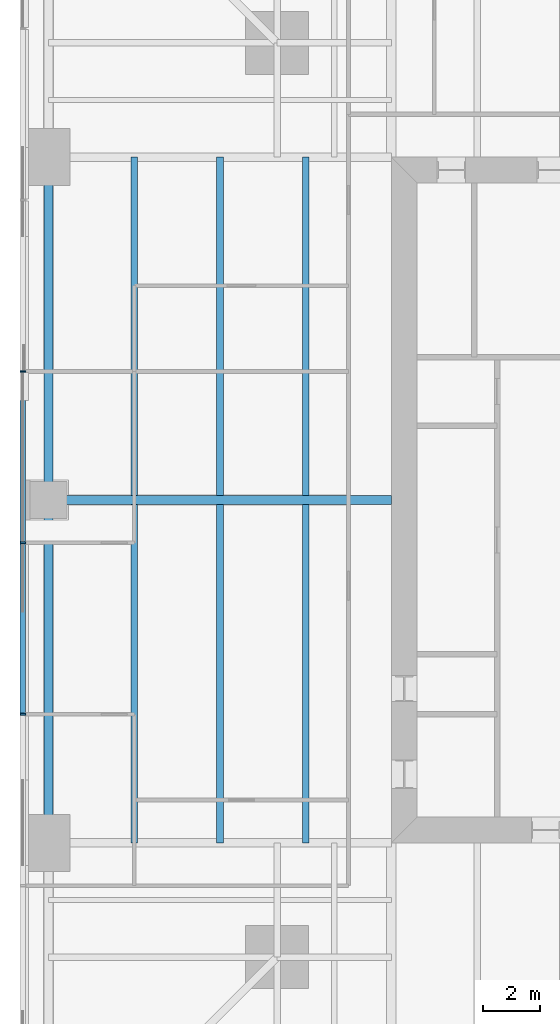
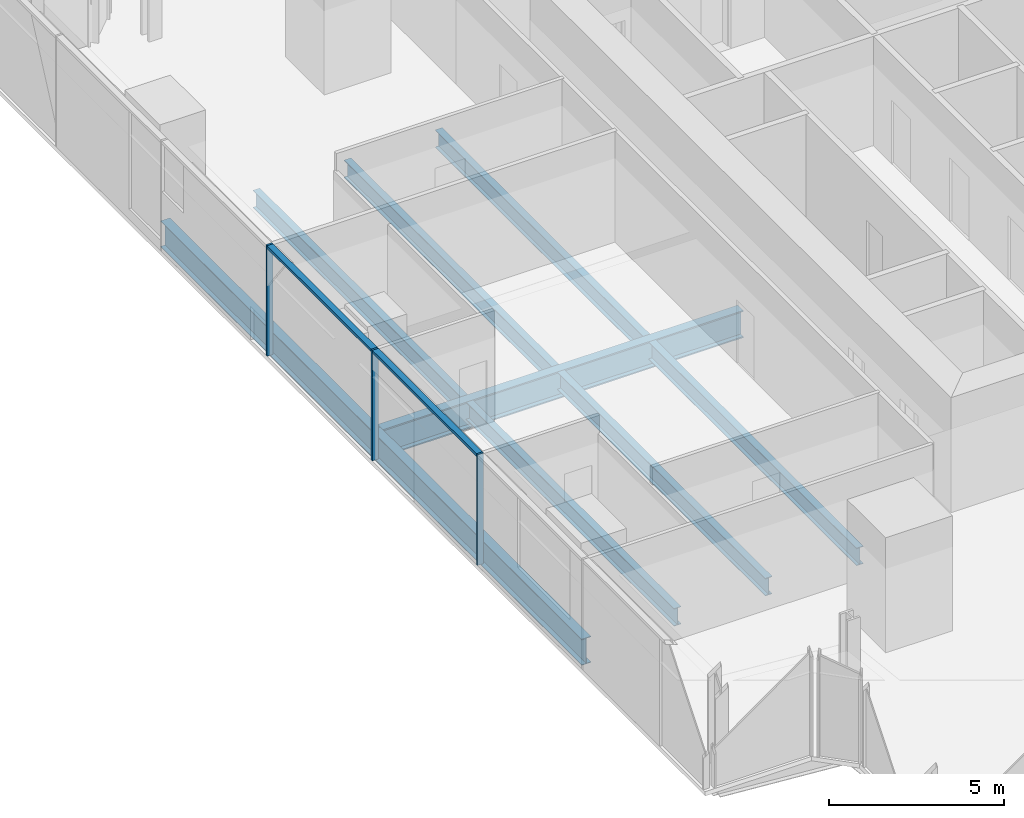
# One storey, part 4 of 14: 9 beams, 5 members, 1 element without a shape of its own.
"""IFC4 building model written with IfcOpenShell, lengths in metres."""

from ifc_helpers import new_model, si_unit, direction, frame, origin, origin_2d, place, context, subcontext, project, spatial, rectangle, i_section, extrude, material, material_profile, profile_set, type_object, element, aggregate, save


model = new_model("IFC4")

# Units and contexts
model_context = context("Model", 3, precision=1e-05, world=origin(), true_north=direction((0.0, 1.0)))
body_context = subcontext(model_context, "Body", "Model", "MODEL_VIEW")
ifc_project = project(units=[si_unit("LENGTHUNIT", "METRE"), si_unit("AREAUNIT", "SQUARE_METRE"), si_unit("VOLUMEUNIT", "CUBIC_METRE"), si_unit("PLANEANGLEUNIT", "RADIAN"), si_unit("MASSUNIT", "GRAM", prefix="KILO")], contexts=[model_context])

# Site, building, storey
site_placement = place(None, origin())
site = spatial("IfcSite", under=ifc_project, at=site_placement, CompositionType="ELEMENT")
building_placement = place(site_placement, origin())
building = spatial("IfcBuilding", under=site, at=building_placement, Name="Fenwick Lantern Interchange", CompositionType="ELEMENT")
storey_placement = place(building_placement, frame((0.0, 0.0, 134.39990234375)))
storey = spatial("IfcBuildingStorey", under=building, at=storey_placement, Name="L31", CompositionType="ELEMENT", Elevation=134.39990234375)

# Beams
ifc_material_1 = material(Name="Steel ASTM A992 Grade 50", Category="steel")
ifc_material_profile_1 = material_profile(ifc_material_1, i_section(OverallWidth=0.3046875, OverallDepth=0.911865234375, WebThickness=0.015869140625, FlangeThickness=0.02392578125, at=origin_2d()), Name="W36X150")
ifc_profile_set_1 = profile_set([ifc_material_profile_1], Name="Steel ASTM A992 Grade 50")
beam_type_1 = type_object("IfcBeamType", Name="EDGE BEAM W36X150", PredefinedType="SPANDREL", material=ifc_profile_set_1)
for number, where, z_axis, x_axis, name in (
    (1, (1.0, 37.0, -0.605712890625), (0.0, -1.0, 0.0), (1.0, 0.0, 0.0), "L31/FR/W/EB2"),
    (2, (1.0, 25.0, -0.605712890625), (0.0, -1.0, 0.0), (1.0, 0.0, 0.0), "L31/FR/W/EB3"),
):
    element("IfcBeam", number, at=place(storey_placement, frame(where, z_axis=z_axis, x_axis=x_axis)), inside=storey, type_object=beam_type_1, Name=name, PredefinedType="SPANDREL", context=body_context, shape_type="SweptSolid", body=[
        extrude(i_section(OverallWidth=0.3046875, OverallDepth=0.911865234375, WebThickness=0.015869140625, FlangeThickness=0.02392578125, at=origin_2d()), origin(), (0.0, 0.0, 1.0), 12.0),
    ])
ifc_material_profile_2 = material_profile(ifc_material_1, i_section(OverallWidth=0.22900390625, OverallDepth=0.612060546875, WebThickness=0.011962890625, FlangeThickness=0.01953125, at=origin_2d()), Name="W24X84")
ifc_profile_set_2 = profile_set([ifc_material_profile_2], Name="Steel ASTM A992 Grade 50")
beam_type_2 = type_object("IfcBeamType", Name="FLOOR BEAM W24X84", PredefinedType="BEAM", material=ifc_profile_set_2)
for number, where, z_axis, x_axis, name in (
    (3, (4.0, 37.0, -0.4560546875), (0.0, -1.0, 0.0), (1.0, 0.0, 0.0), "L31/FR/W/B01"),
    (4, (7.0, 37.0, -0.4560546875), (0.0, -1.0, 0.0), (1.0, 0.0, 0.0), "L31/FR/W/B02"),
    (5, (10.0, 37.0, -0.4560546875), (0.0, -1.0, 0.0), (1.0, 0.0, 0.0), "L31/FR/W/B03"),
    (6, (4.0, 24.844970703125, -0.4560546875), (0.0, -1.0, 0.0), (1.0, 0.0, 0.0), "L31/FR/W/B04"),
    (7, (7.0, 24.844970703125, -0.4560546875), (0.0, -1.0, 0.0), (1.0, 0.0, 0.0), "L31/FR/W/B05"),
    (8, (10.0, 24.844970703125, -0.4560546875), (0.0, -1.0, 0.0), (1.0, 0.0, 0.0), "L31/FR/W/B06"),
):
    element("IfcBeam", number, at=place(storey_placement, frame(where, z_axis=z_axis, x_axis=x_axis)), inside=storey, type_object=beam_type_2, Name=name, PredefinedType="BEAM", context=body_context, shape_type="SweptSolid", body=[
        extrude(i_section(OverallWidth=0.22900390625, OverallDepth=0.612060546875, WebThickness=0.011962890625, FlangeThickness=0.01953125, at=origin_2d()), origin(), (0.0, 0.0, 1.0), 11.844970703125),
    ])
ifc_material_profile_3 = material_profile(ifc_material_1, i_section(OverallWidth=0.309814453125, OverallDepth=0.949951171875, WebThickness=0.0244140625, FlangeThickness=0.0439453125, at=origin_2d()), Name="W36X256")
ifc_profile_set_3 = profile_set([ifc_material_profile_3], Name="Steel ASTM A992 Grade 50")
beam_type_3 = type_object("IfcBeamType", Name="MOMENT-CONNECTED GIRDER W36X256", PredefinedType="BEAM", material=ifc_profile_set_3)
beam_placement = place(storey_placement, frame((1.0, 25.0, -0.625), z_axis=(1.0, 0.0, 0.0), x_axis=(0.0, 1.0, 0.0)))
element("IfcBeam", 9, at=beam_placement, inside=storey, type_object=beam_type_3, Name="L31/FR/W/R02", PredefinedType="BEAM", context=body_context, shape_type="SweptSolid", body=[
    extrude(i_section(OverallWidth=0.309814453125, OverallDepth=0.949951171875, WebThickness=0.0244140625, FlangeThickness=0.0439453125, at=origin_2d()), origin(), (0.0, 0.0, 1.0), 12.0),
])

# Curtain wall, members
ifc_material_2 = material(Name="Aluminium curtain wall frame", Category="aluminium")
curtain_wall_type = type_object("IfcCurtainWallType", Name="OFFICE CURTAIN WALL", PredefinedType="USERDEFINED", material=ifc_material_2)
curtain_wall_placement = place(storey_placement, origin())
curtain_wall = element("IfcCurtainWall", 10, at=curtain_wall_placement, inside=storey, type_object=curtain_wall_type, Name="Office curtain wall 13", ObjectType="OFFICE CURTAIN WALL", PredefinedType="USERDEFINED")
ifc_material_3 = material(Name="Aluminium extrusion", Category="aluminium")
ifc_material_profile_4 = material_profile(ifc_material_3, rectangle(XDim=0.199951171875, YDim=0.06494140625, at=origin_2d()), Name="OFFICE CURTAIN WALL MULLION 65 X 200")
ifc_profile_set_4 = profile_set([ifc_material_profile_4], Name="Aluminium extrusion")
member_type_1 = type_object("IfcMemberType", Name="OFFICE CURTAIN WALL MULLION 65 X 200", PredefinedType="MULLION", material=ifc_profile_set_4)
member_1_placement = place(storey_placement, frame((0.10009765625, 29.5, 0.0), z_axis=(0.0, 0.0, 1.0), x_axis=(1.0, 0.0, 0.0)))
member_1 = element("IfcMember", 11, at=member_1_placement, type_object=member_type_1, Name="L31/CW/13/M03", PredefinedType="MULLION", context=body_context, shape_type="SweptSolid", body=[
    extrude(rectangle(XDim=0.199951171875, YDim=0.06494140625, at=origin_2d()), origin(), (0.0, 0.0, 1.0), 3.85009765625),
])
member_2_placement = place(storey_placement, frame((0.10009765625, 23.5, 0.0), z_axis=(0.0, 0.0, 1.0), x_axis=(1.0, 0.0, 0.0)))
member_2 = element("IfcMember", 12, at=member_2_placement, type_object=member_type_1, Name="L31/CW/13/M04", PredefinedType="MULLION", context=body_context, shape_type="SweptSolid", body=[
    extrude(rectangle(XDim=0.199951171875, YDim=0.06494140625, at=origin_2d()), origin(), (0.0, 0.0, 1.0), 3.85009765625),
])
member_3_placement = place(storey_placement, frame((0.10009765625, 17.5, 0.0), z_axis=(0.0, 0.0, 1.0), x_axis=(1.0, 0.0, 0.0)))
member_3 = element("IfcMember", 13, at=member_3_placement, type_object=member_type_1, Name="L31/CW/13/M05", PredefinedType="MULLION", context=body_context, shape_type="SweptSolid", body=[
    extrude(rectangle(XDim=0.199951171875, YDim=0.06494140625, at=origin_2d()), origin(), (0.0, 0.0, 1.0), 3.85009765625),
])
ifc_material_profile_5 = material_profile(ifc_material_3, rectangle(XDim=0.199951171875, YDim=0.10009765625, at=origin_2d()), Name="OFFICE CURTAIN WALL TRANSOM 100 X 200")
ifc_profile_set_5 = profile_set([ifc_material_profile_5], Name="Aluminium extrusion")
member_type_2 = type_object("IfcMemberType", Name="OFFICE CURTAIN WALL TRANSOM 100 X 200", PredefinedType="MULLION", material=ifc_profile_set_5)
member_4_placement = place(storey_placement, frame((0.10009765625, 29.467529296875, 3.800048828125), z_axis=(0.0, -1.0, 0.0), x_axis=(1.0, 0.0, 0.0)))
member_4 = element("IfcMember", 14, at=member_4_placement, type_object=member_type_2, Name="L31/CW/13/T03", PredefinedType="MULLION", context=body_context, shape_type="SweptSolid", body=[
    extrude(rectangle(XDim=0.199951171875, YDim=0.10009765625, at=origin_2d()), origin(), (0.0, 0.0, 1.0), 5.93505859375),
])
member_5_placement = place(storey_placement, frame((0.10009765625, 23.467529296875, 3.800048828125), z_axis=(0.0, -1.0, 0.0), x_axis=(1.0, 0.0, 0.0)))
member_5 = element("IfcMember", 15, at=member_5_placement, type_object=member_type_2, Name="L31/CW/13/T04", PredefinedType="MULLION", context=body_context, shape_type="SweptSolid", body=[
    extrude(rectangle(XDim=0.199951171875, YDim=0.10009765625, at=origin_2d()), origin(), (0.0, 0.0, 1.0), 5.93505859375),
])
aggregate(curtain_wall, [member_1, member_2, member_3, member_4, member_5])

save(model, "model.ifc")
